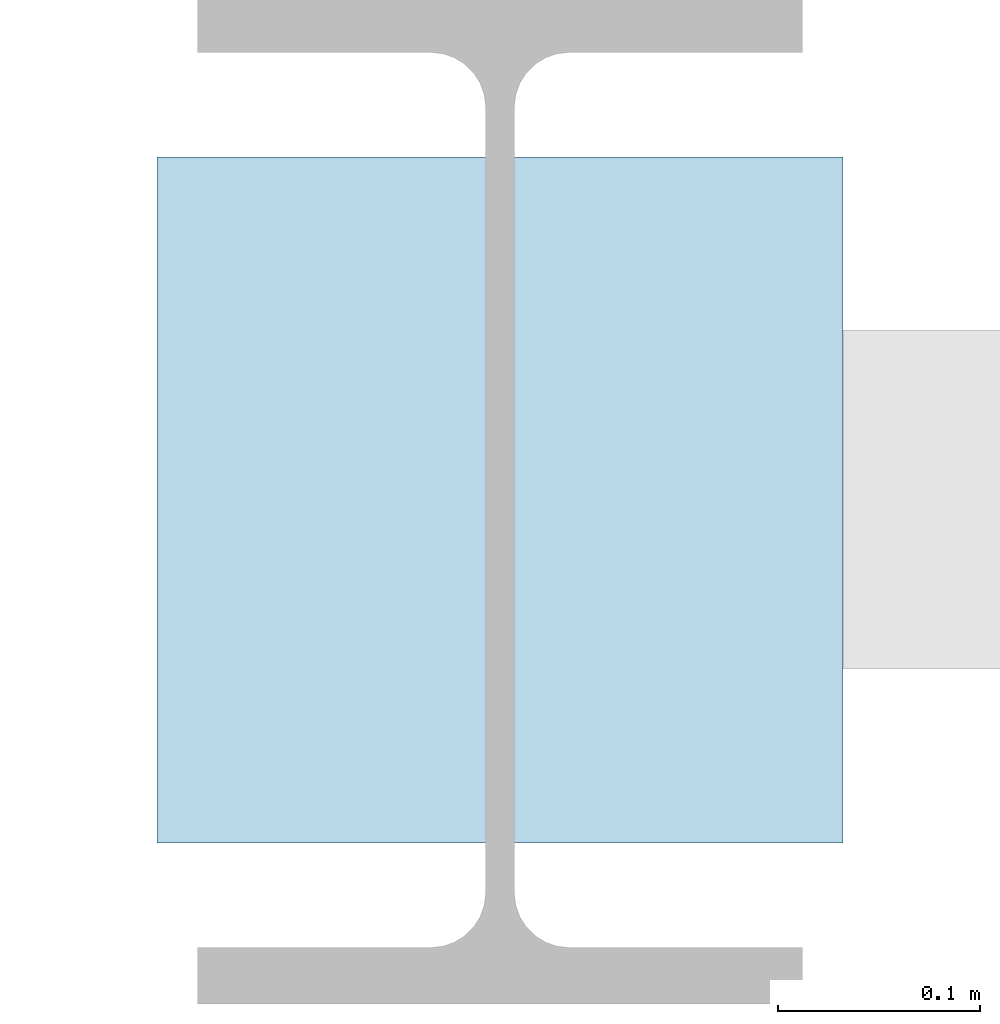
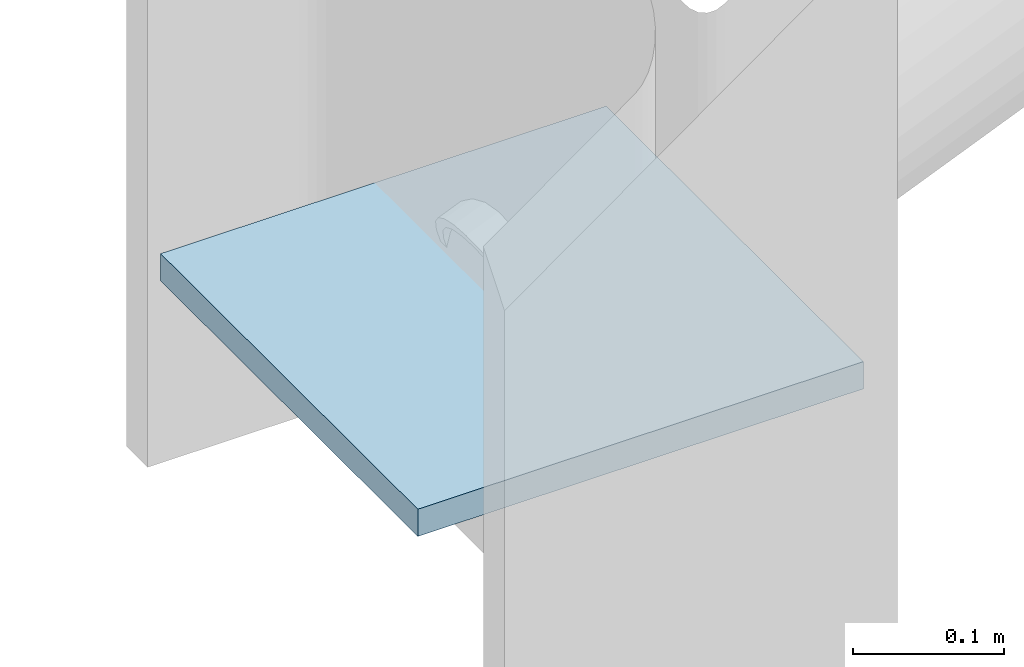
# One storey, part 112 of 140: 1 plate.
"""IFC4 building model written with IfcOpenShell, lengths in metres."""

import ifcopenshell
import ifcopenshell.guid

model = None  # the IFC model being written
_history = None  # IfcOwnerHistory: only IFC2X3 demands one
_inside = {}  # id of a spatial element -> (the spatial element, [elements in it])
_under = {}  # id of a project, library or spatial element -> (it, [spatial elements below it])
_declared = {}  # id of a project -> (the project, [libraries it declares])
_typed = {}  # id of a type object -> (the type object, [elements of that type])
_made_of = {}  # id of a material, layer set ... -> (it, [elements and type objects made of it])


def new_model(schema):
    """Start an empty IFC model of exactly this schema.

    Asked for "IFC4X3", IfcOpenShell would pick the latest addendum, in which some entities
    have other attributes; the version numbers below select the first issue.
    IFC2X3 requires an IfcOwnerHistory on every rooted entity: one is made here for all.
    """
    global model, _history
    if schema == "IFC4X3":
        model = ifcopenshell.file(schema_version=(4, 3, 0, 0))
    else:
        model = ifcopenshell.file(schema=schema)
    _inside.clear()
    _under.clear()
    _declared.clear()
    _typed.clear()
    _made_of.clear()
    _history = None
    if model.schema == "IFC2X3":
        org = make("IfcOrganization", Name="unknown")
        user = make(
            "IfcPersonAndOrganization",
            ThePerson=make("IfcPerson", FamilyName="unknown"),
            TheOrganization=org,
        )
        app = make(
            "IfcApplication",
            ApplicationDeveloper=org,
            Version="unknown",
            ApplicationFullName="unknown",
            ApplicationIdentifier="unknown",
        )
        _history = make(
            "IfcOwnerHistory",
            OwningUser=user,
            OwningApplication=app,
            ChangeAction="ADDED",
            CreationDate=0,
        )
    return model


def make(cls, **values):
    """One entity of the class cls with the attributes given. An attribute that is None is left unset."""
    return model.create_entity(
        cls, **{name: value for name, value in values.items() if value is not None}
    )


def rooted(cls, **values):
    """An entity with a GlobalId (a new one), such as an element, a storey or a relation."""
    return make(cls, GlobalId=ifcopenshell.guid.new(), OwnerHistory=_history, **values)


def si_unit(unit_type, name, prefix=None):
    """IfcSIUnit, for example si_unit("LENGTHUNIT", "METRE", prefix="MILLI")."""
    return make("IfcSIUnit", UnitType=unit_type, Prefix=prefix, Name=name)


def assignment(units):
    """IfcUnitAssignment: the units of a project."""
    return None if units is None else make("IfcUnitAssignment", Units=units)


def point(xyz):
    """IfcCartesianPoint."""
    return None if xyz is None else make("IfcCartesianPoint", Coordinates=xyz)


def direction(xyz):
    """IfcDirection."""
    return None if xyz is None else make("IfcDirection", DirectionRatios=xyz)


def frame(location, z_axis=None, x_axis=None):
    """IfcAxis2Placement3D, a coordinate frame: its origin and axes. An axis left out is left unset."""
    return make(
        "IfcAxis2Placement3D",
        Location=point(location),
        Axis=direction(z_axis),
        RefDirection=direction(x_axis),
    )


def frame_2d(location, x_axis=None):
    """IfcAxis2Placement2D, a coordinate frame in the plane: its origin and x axis."""
    return make(
        "IfcAxis2Placement2D", Location=point(location), RefDirection=direction(x_axis)
    )


def origin():
    """The frame at (0, 0, 0) with its axes left unset."""
    return frame((0.0, 0.0, 0.0))


def origin_2d():
    """The frame at (0, 0) in the plane with its x axis left unset."""
    return frame_2d((0.0, 0.0))


def place(relative_to, where):
    """IfcLocalPlacement: puts the frame where relative to a parent placement (None: the world)."""
    return make(
        "IfcLocalPlacement", PlacementRelTo=relative_to, RelativePlacement=where
    )


def context(
    kind, dimensions, precision=None, world=None, true_north=None, identifier=None
):
    """IfcGeometricRepresentationContext, for example the 3D "Model" context."""
    return make(
        "IfcGeometricRepresentationContext",
        ContextIdentifier=identifier,
        ContextType=kind,
        CoordinateSpaceDimension=dimensions,
        Precision=precision,
        WorldCoordinateSystem=world,
        TrueNorth=true_north,
    )


def subcontext(parent, identifier, kind, view, scale=None):
    """IfcGeometricRepresentationSubContext, for example "Body" below "Model"."""
    return make(
        "IfcGeometricRepresentationSubContext",
        ContextIdentifier=identifier,
        ContextType=kind,
        ParentContext=parent,
        TargetScale=scale,
        TargetView=view,
    )


def project(units=None, contexts=None):
    """IfcProject with its units and contexts."""
    return rooted(
        "IfcProject",
        Name="project",
        RepresentationContexts=contexts,
        UnitsInContext=assignment(units),
    )


def spatial(cls, under=None, at=None, **own):
    """A site, building, storey or space (cls), placed at a placement, below another one or the project."""
    s = rooted(cls, ObjectPlacement=at, **own)
    if under is not None:
        _under.setdefault(under.id(), (under, []))[1].append(s)
    return s


def profile(cls, at=None, kind="AREA", **sizes):
    """A parametric profile (cls). Its sizes go by their IFC names, for example OverallWidth=200.0."""
    return make(cls, ProfileType=kind, Position=at, **sizes)


def rectangle(**sizes):
    """IfcRectangleProfileDef."""
    return profile("IfcRectangleProfileDef", **sizes)


def extrude(swept, where, along, depth):
    """IfcExtrudedAreaSolid: the profile swept, set in the frame where, extruded along a direction by depth."""
    return make(
        "IfcExtrudedAreaSolid",
        SweptArea=swept,
        Position=where,
        ExtrudedDirection=direction(along),
        Depth=depth,
    )


def shape(context_of_items, identifier, shape_type, items):
    """IfcShapeRepresentation: the items that make up one representation, for example the "Body"."""
    return make(
        "IfcShapeRepresentation",
        ContextOfItems=context_of_items,
        RepresentationIdentifier=identifier,
        RepresentationType=shape_type,
        Items=items,
    )


def material(Name=None, Category=None):
    """IfcMaterial."""
    return make("IfcMaterial", Name=Name, Category=Category)


def layer(
    of_material, thickness, ventilated=None, Name=None, Category=None, Priority=None
):
    """IfcMaterialLayer: one layer of a wall or slab, of a material (None: an air gap)."""
    return make(
        "IfcMaterialLayer",
        Material=of_material,
        LayerThickness=thickness,
        IsVentilated=ventilated,
        Name=Name,
        Category=Category,
        Priority=Priority,
    )


def layer_set(layers, Name=None):
    """IfcMaterialLayerSet."""
    return make("IfcMaterialLayerSet", MaterialLayers=layers, LayerSetName=Name)


def made_of(thing, what):
    """Note that an element or type object is made of a material, layer set ...; save() writes the relation."""
    if what is not None:
        _made_of.setdefault(what.id(), (what, []))[1].append(thing)
    return thing


def type_object(cls, material=None, **own):
    """A type object (cls), such as IfcWallType, which elements share."""
    return made_of(rooted(cls, **own), material)


def element(
    cls,
    number,
    at=None,
    inside=None,
    cuts=None,
    type_object=None,
    material=None,
    context=None,
    identifier="Body",
    shape_type=None,
    held_by="IfcProductDefinitionShape",
    body=None,
    shapes=None,
    **own,
):
    """One element of the class cls, such as IfcWall. Its Tag is "e" and its number.

    at: its placement. inside: the storey or other place that contains it. cuts: it is an
    opening in that element (IfcRelVoidsElement). A single representation is given by context,
    identifier, shape_type and body (its items); several are given by shapes. held_by: the class
    of the entity that holds the representations. save() writes the other relations.
    """
    e = rooted(cls, Tag="e%d" % number, ObjectPlacement=at, **own)
    if body is not None:
        shapes = [shape(context, identifier, shape_type, body)]
    if shapes is not None:
        e.Representation = make(held_by, Representations=shapes)
    if inside is not None:
        _inside.setdefault(inside.id(), (inside, []))[1].append(e)
    if cuts is not None:
        rooted(
            "IfcRelVoidsElement", RelatingBuildingElement=cuts, RelatedOpeningElement=e
        )
    if type_object is not None:
        _typed.setdefault(type_object.id(), (type_object, []))[1].append(e)
    return made_of(e, material)


def aggregate(whole, parts):
    """IfcRelAggregates: a whole, such as a stair, and the parts it consists of."""
    return rooted("IfcRelAggregates", RelatingObject=whole, RelatedObjects=parts)


def save(model, path):
    """Write the relations noted so far, then the file.

    IfcRelAggregates (storeys below a building ...), IfcRelContainedInSpatialStructure (elements
    in a storey), IfcRelDefinesByType, IfcRelAssociatesMaterial and IfcRelDeclares: one each for
    every whole, place, type object, material and project.
    """
    for whole, parts in _under.values():
        aggregate(whole, parts)
    for where, things in _inside.values():
        rooted(
            "IfcRelContainedInSpatialStructure",
            RelatedElements=things,
            RelatingStructure=where,
        )
    for kind, things in _typed.values():
        rooted("IfcRelDefinesByType", RelatedObjects=things, RelatingType=kind)
    for what, things in _made_of.values():
        rooted("IfcRelAssociatesMaterial", RelatedObjects=things, RelatingMaterial=what)
    for by, libraries in _declared.values():
        rooted("IfcRelDeclares", RelatingContext=by, RelatedDefinitions=libraries)
    model.write(path)


model = new_model("IFC4")

# Units and contexts
model_context = context("Model", 3, precision=1e-05, world=origin(), true_north=direction((0.0, 1.0)))
body_context = subcontext(model_context, "Body", "Model", "MODEL_VIEW")
ifc_project = project(units=[si_unit("LENGTHUNIT", "METRE"), si_unit("AREAUNIT", "SQUARE_METRE"), si_unit("VOLUMEUNIT", "CUBIC_METRE"), si_unit("PLANEANGLEUNIT", "RADIAN"), si_unit("MASSUNIT", "GRAM", prefix="KILO")], contexts=[model_context])

# Site, building, storey
site_placement = place(None, origin())
site = spatial("IfcSite", under=ifc_project, at=site_placement, CompositionType="ELEMENT")
building_placement = place(site_placement, origin())
building = spatial("IfcBuilding", under=site, at=building_placement, Name="Deido Ridge Mobility Hub", CompositionType="ELEMENT")
storey_placement = place(building_placement, origin())
storey = spatial("IfcBuildingStorey", under=building, at=storey_placement, Name="L00", CompositionType="ELEMENT", Elevation=0.0)

# Plate
ifc_material = material(Name="Steel S355J2 EN 10025-2", Category="steel")
ifc_layer = layer(ifc_material, 0.02197265625, Name="Steel S355J2 EN 10025-2")
ifc_layer_set = layer_set([ifc_layer], Name="Steel S355J2 EN 10025-2")
plate_type = type_object("IfcPlateType", Name="PLT-CAP-22", PredefinedType="USERDEFINED", material=ifc_layer_set)
plate_placement = place(storey_placement, frame((117.0, 54.0, 0.18896484375), z_axis=(0.0, 0.0, 1.0), x_axis=(1.0, 0.0, 0.0)))
element("IfcPlate", 1, at=plate_placement, inside=storey, type_object=plate_type, Name="Diagrid node cap plate EC2 168", ObjectType="END CAP PLATE", PredefinedType="USERDEFINED", context=body_context, shape_type="SweptSolid", body=[
    extrude(rectangle(XDim=0.340087890625, YDim=0.340087890625, at=origin_2d()), origin(), (0.0, 0.0, 1.0), 0.02197265625),
])

save(model, "model.ifc")
